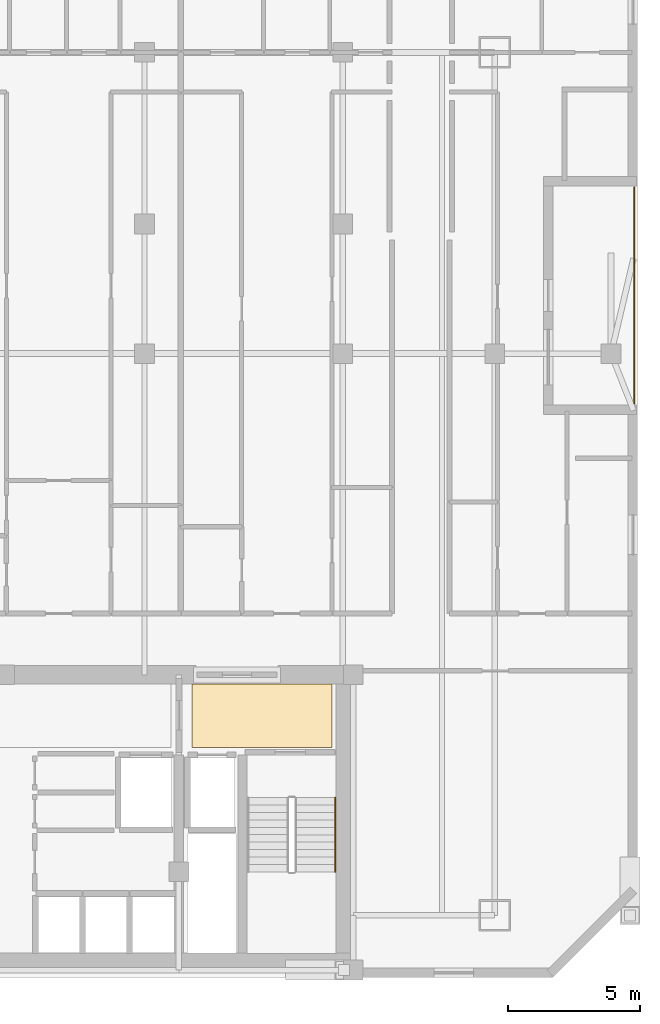
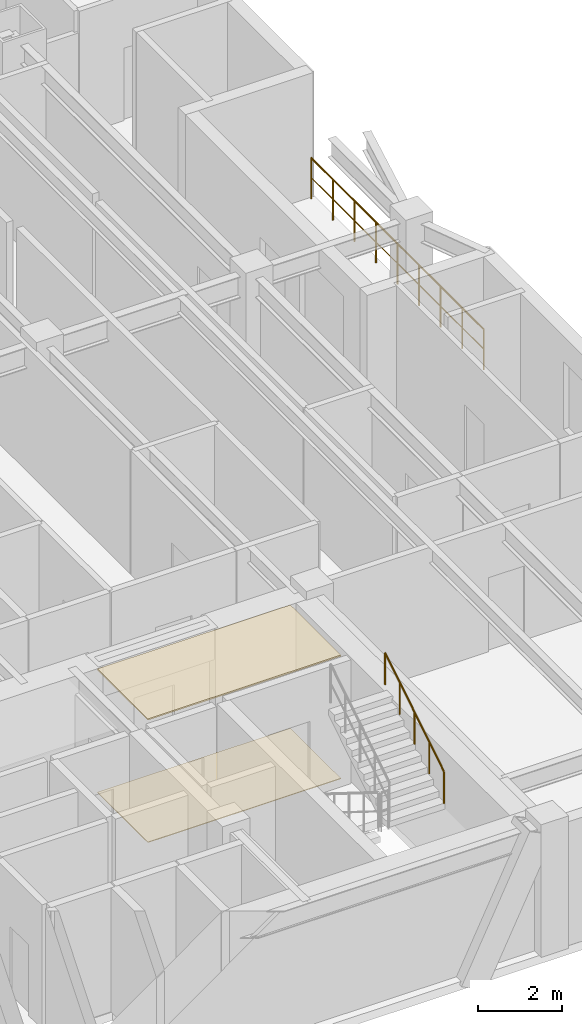
# One storey, part 11 of 11: 2 coverings, 2 railings.
"""IFC4 building model written with IfcOpenShell, lengths in metres."""

from ifc_helpers import new_model, si_unit, direction, frame, origin, origin_2d, place, context, subcontext, project, spatial, polyline, circle, outline, extrude, material, layer, layer_set, type_object, element, save


model = new_model("IFC4")

# Units and contexts
model_context = context("Model", 3, precision=1e-05, world=origin(), true_north=direction((0.0, 1.0)))
body_context = subcontext(model_context, "Body", "Model", "MODEL_VIEW")
ifc_project = project(units=[si_unit("LENGTHUNIT", "METRE"), si_unit("AREAUNIT", "SQUARE_METRE"), si_unit("VOLUMEUNIT", "CUBIC_METRE"), si_unit("PLANEANGLEUNIT", "RADIAN"), si_unit("MASSUNIT", "GRAM", prefix="KILO")], contexts=[model_context])

# Site, building, storey
site_placement = place(None, origin())
site = spatial("IfcSite", under=ifc_project, at=site_placement, CompositionType="ELEMENT")
building_placement = place(site_placement, origin())
building = spatial("IfcBuilding", under=site, at=building_placement, Name="Ventersveld Concourse Tower", CompositionType="ELEMENT")
storey_placement = place(building_placement, frame((0.0, 0.0, 119.550048828125)))
storey = spatial("IfcBuildingStorey", under=building, at=storey_placement, Name="L29", CompositionType="ELEMENT", Elevation=119.550048828125)

# Coverings
ifc_material_1 = material(Name="Mineral-fibre acoustic ceiling tile", Category="gypsum")
ifc_layer_1 = layer(ifc_material_1, 0.0400390625)
ifc_layer_set_1 = layer_set([ifc_layer_1], Name="Mineral-fibre acoustic ceiling tile")
covering_type_1 = type_object("IfcCoveringType", Name="COV-CEIL-ACOUSTIC", PredefinedType="CEILING", material=ifc_layer_set_1)
covering_1_placement = place(storey_placement, frame((0.0, 0.0, 3.56005859375)))
element("IfcCovering", 1, at=covering_1_placement, inside=storey, type_object=covering_type_1, Name="L29 East Firefighting Lobby Acoustic Ceiling", PredefinedType="CEILING", context=body_context, shape_type="SweptSolid", body=[
    extrude(outline(polyline([(38.050048828125, 8.699951171875), (43.35009765625, 8.699951171875), (43.35009765625, 11.10009765625), (38.050048828125, 11.10009765625), (38.050048828125, 8.699951171875)])), origin(), (0.0, 0.0, 1.0), 0.039794921875),
])
ifc_material_2 = material(Name="Polished Highveld granite terrazzo", Category="masonry")
ifc_layer_2 = layer(ifc_material_2, 0.02001953125)
ifc_layer_set_2 = layer_set([ifc_layer_2], Name="Polished Highveld granite terrazzo")
covering_type_2 = type_object("IfcCoveringType", Name="COV-FLOOR-TERRAZZO", PredefinedType="FLOORING", material=ifc_layer_set_2)
covering_2_placement = place(storey_placement, origin())
element("IfcCovering", 2, at=covering_2_placement, inside=storey, type_object=covering_type_2, Name="L29 East Firefighting Lobby Terrazzo Flooring", PredefinedType="FLOORING", context=body_context, shape_type="SweptSolid", body=[
    extrude(outline(polyline([(38.050048828125, 8.699951171875), (43.35009765625, 8.699951171875), (43.35009765625, 11.10009765625), (38.050048828125, 11.10009765625), (38.050048828125, 8.699951171875)])), origin(), (0.0, 0.0, 1.0), 0.02001953125),
])

# Railings
ifc_material_3 = material(Name="Brushed stainless steel 316", Category="steel")
railing_type_1 = type_object("IfcRailingType", Name="GD-TER-120", PredefinedType="GUARDRAIL", material=ifc_material_3)
railing_1_placement = place(storey_placement, frame((54.780029296875, 21.699951171875, 0.0)))
element("IfcRailing", 3, at=railing_1_placement, inside=storey, type_object=railing_type_1, Name="L29 Outdoor Terrace Guardrail NOTCH-E", PredefinedType="GUARDRAIL", context=body_context, shape_type="SweptSolid", body=[
    extrude(circle(Radius=0.02392578125, at=origin_2d()), frame((0.0, 0.0, 1.17578125), z_axis=(0.0, 1.0, 0.0), x_axis=(-1.0, 0.0, 0.0)), (0.0, 0.0, 1.0), 8.199951171875),
    extrude(circle(Radius=0.01611328125, at=origin_2d()), frame((0.0, 0.0, 0.60009765625), z_axis=(0.0, 1.0, 0.0), x_axis=(-1.0, 0.0, 0.0)), (0.0, 0.0, 1.0), 8.199951171875),
    extrude(circle(Radius=0.02099609375, at=origin_2d()), origin(), (0.0, 0.0, 1.0), 1.15185546875),
    extrude(circle(Radius=0.02099609375, at=origin_2d()), frame((0.0, 1.02490234375, 0.0)), (0.0, 0.0, 1.0), 1.15185546875),
    extrude(circle(Radius=0.02099609375, at=origin_2d()), frame((0.0, 2.050048828125, 0.0)), (0.0, 0.0, 1.0), 1.15185546875),
    extrude(circle(Radius=0.02099609375, at=origin_2d()), frame((0.0, 3.074951171875, 0.0)), (0.0, 0.0, 1.0), 1.15185546875),
    extrude(circle(Radius=0.02099609375, at=origin_2d()), frame((0.0, 4.10009765625, 0.0)), (0.0, 0.0, 1.0), 1.15185546875),
    extrude(circle(Radius=0.02099609375, at=origin_2d()), frame((0.0, 5.125, 0.0)), (0.0, 0.0, 1.0), 1.15185546875),
    extrude(circle(Radius=0.02099609375, at=origin_2d()), frame((0.0, 6.14990234375, 0.0)), (0.0, 0.0, 1.0), 1.15185546875),
    extrude(circle(Radius=0.02099609375, at=origin_2d()), frame((0.0, 7.175048828125, 0.0)), (0.0, 0.0, 1.0), 1.15185546875),
    extrude(circle(Radius=0.02099609375, at=origin_2d()), frame((0.0, 8.199951171875, 0.0)), (0.0, 0.0, 1.0), 1.15185546875),
])
railing_type_2 = type_object("IfcRailingType", Name="HR-RMP-095", PredefinedType="HANDRAIL", material=ifc_material_3)
railing_2_placement = place(storey_placement, frame((43.469970703125, 4.0, 2.099853515625)))
element("IfcRailing", 4, at=railing_2_placement, inside=storey, type_object=railing_type_2, Name="L29 ST-02 stair handrail 2", PredefinedType="HANDRAIL", context=body_context, shape_type="SweptSolid", body=[
    extrude(circle(Radius=0.02392578125, at=origin_2d()), frame((0.0, 0.0, 0.92578125), z_axis=(0.0, 0.848002457836, 0.529992293815), x_axis=(-1.0, 0.0, 0.0)), (0.0, 0.0, 1.0), 3.302001953125),
    extrude(circle(Radius=0.02099609375, at=origin_2d()), origin(), (0.0, 0.0, 1.0), 0.90185546875),
    extrude(circle(Radius=0.02099609375, at=origin_2d()), frame((0.0, 0.699951171875, 0.4375)), (0.0, 0.0, 1.0), 0.90185546875),
    extrude(circle(Radius=0.02099609375, at=origin_2d()), frame((0.0, 1.39990234375, 0.875)), (0.0, 0.0, 1.0), 0.90185546875),
    extrude(circle(Radius=0.02099609375, at=origin_2d()), frame((0.0, 2.10009765625, 1.3125)), (0.0, 0.0, 1.0), 0.90185546875),
    extrude(circle(Radius=0.02099609375, at=origin_2d()), frame((0.0, 2.800048828125, 1.75)), (0.0, 0.0, 1.0), 0.90185546875),
])

save(model, "model.ifc")
